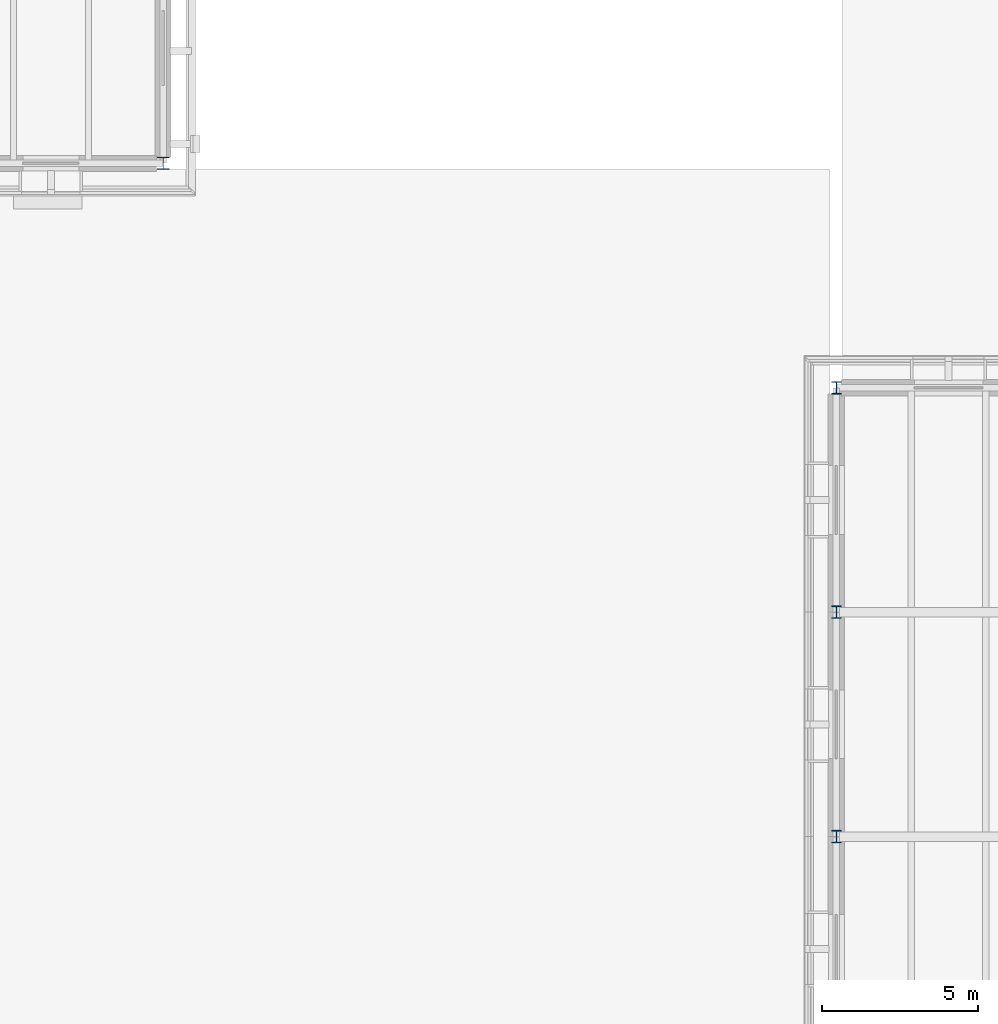
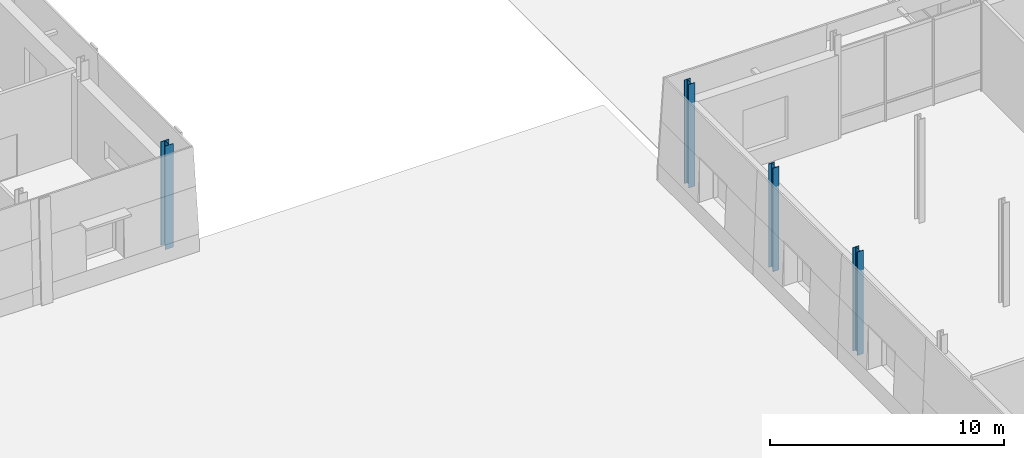
# One storey, part 7 of 120: 4 columns.
"""IFC4 building model written with IfcOpenShell, lengths in metres."""

from ifc_helpers import new_model, si_unit, direction, frame, origin, origin_2d, place, context, subcontext, project, spatial, i_section, extrude, material, material_profile, profile_set, type_object, element, save


model = new_model("IFC4")

# Units and contexts
model_context = context("Model", 3, precision=1e-05, world=origin(), true_north=direction((0.0, 1.0)))
body_context = subcontext(model_context, "Body", "Model", "MODEL_VIEW")
ifc_project = project(units=[si_unit("LENGTHUNIT", "METRE"), si_unit("AREAUNIT", "SQUARE_METRE"), si_unit("VOLUMEUNIT", "CUBIC_METRE"), si_unit("PLANEANGLEUNIT", "RADIAN"), si_unit("MASSUNIT", "GRAM", prefix="KILO")], contexts=[model_context])

# Site, building, storey
site_placement = place(None, origin())
site = spatial("IfcSite", under=ifc_project, at=site_placement, CompositionType="ELEMENT")
building_placement = place(site_placement, origin())
building = spatial("IfcBuilding", under=site, at=building_placement, Name="Narikvali Park Central Library", CompositionType="ELEMENT")
storey_placement = place(building_placement, origin())
storey = spatial("IfcBuildingStorey", under=building, at=storey_placement, Name="L00", CompositionType="ELEMENT", Elevation=0.0)

# Columns
ifc_material = material(Name="Steel S355", Category="steel")
ifc_material_profile_1 = material_profile(ifc_material, i_section(OverallWidth=0.40087890625, OverallDepth=0.39892578125, WebThickness=0.0185546875, FlangeThickness=0.029052734375, FilletRadius=0.014892578125, at=origin_2d()), Name="HD 400x314")
ifc_profile_set_1 = profile_set([ifc_material_profile_1], Name="Steel S355")
column_type_1 = type_object("IfcColumnType", Name="Steel Column HD400x314", PredefinedType="COLUMN", material=ifc_profile_set_1)
column_placement = place(storey_placement, frame((100.800048828125, 57.60009765625, 0.0), z_axis=(0.0, 0.0, 1.0), x_axis=(1.0, 0.0, 0.0)))
element("IfcColumn", 1, at=column_placement, inside=storey, type_object=column_type_1, Name="V1 L00 Column (100.8,57.6)", PredefinedType="COLUMN", context=body_context, shape_type="SweptSolid", body=[
    extrude(i_section(OverallWidth=0.40087890625, OverallDepth=0.39892578125, WebThickness=0.0185546875, FlangeThickness=0.029052734375, FilletRadius=0.014892578125, at=origin_2d()), origin(), (0.0, 0.0, 1.0), 5.39990234375),
])
ifc_material_profile_2 = material_profile(ifc_material, i_section(OverallWidth=0.300048828125, OverallDepth=0.39990234375, WebThickness=0.013427734375, FlangeThickness=0.02392578125, FilletRadius=0.027099609375, at=origin_2d()), Name="HEB 400")
ifc_profile_set_2 = profile_set([ifc_material_profile_2], Name="Steel S355")
column_type_2 = type_object("IfcColumnType", Name="Steel Column HEB400", PredefinedType="COLUMN", material=ifc_profile_set_2)
for number, where, z_axis, x_axis, name in (
    (2, (122.39990234375, 36.0, 0.0), (0.0, 0.0, 1.0), (1.0, 0.0, 0.0), "V6 L00 Column (122.4,36.0)"),
    (3, (122.39990234375, 43.199951171875, 0.0), (0.0, 0.0, 1.0), (1.0, 0.0, 0.0), "V6 L00 Column (122.4,43.2)"),
    (4, (122.39990234375, 50.39990234375, 0.0), (0.0, 0.0, 1.0), (1.0, 0.0, 0.0), "V6 L00 Column (122.4,50.4)"),
):
    element("IfcColumn", number, at=place(storey_placement, frame(where, z_axis=z_axis, x_axis=x_axis)), inside=storey, type_object=column_type_2, Name=name, PredefinedType="COLUMN", context=body_context, shape_type="SweptSolid", body=[
        extrude(i_section(OverallWidth=0.300048828125, OverallDepth=0.39990234375, WebThickness=0.013427734375, FlangeThickness=0.02392578125, FilletRadius=0.027099609375, at=origin_2d()), origin(), (0.0, 0.0, 1.0), 5.39990234375),
    ])

save(model, "model.ifc")
